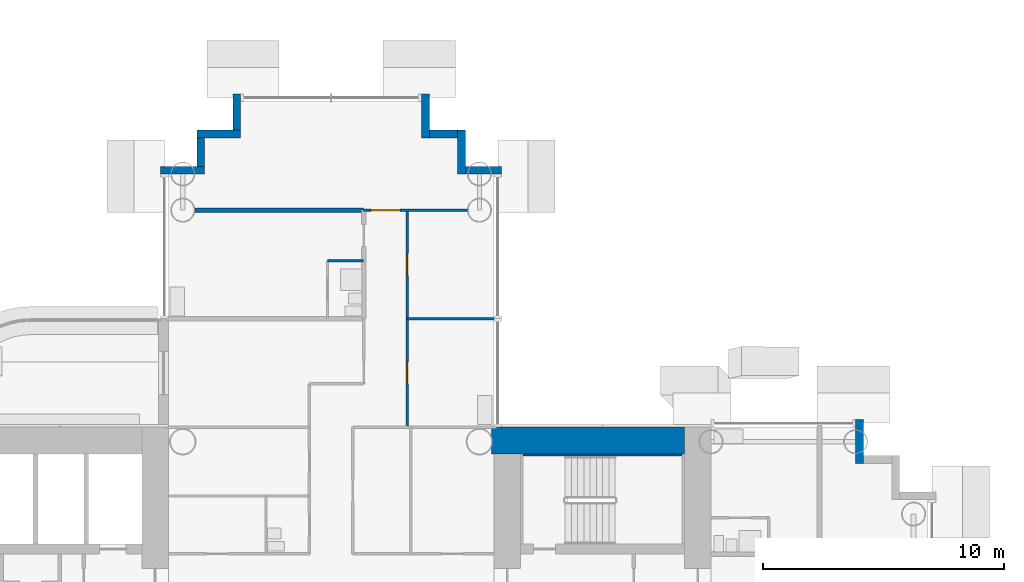
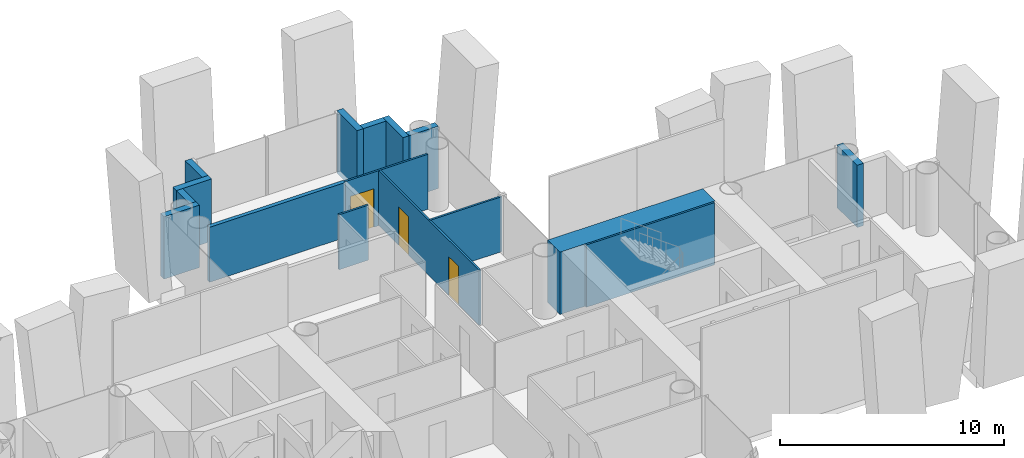
# One storey, part 13 of 25: 16 walls, 3 doors, 3 openings.
"""IFC4 building model written with IfcOpenShell, lengths in metres."""

import ifcopenshell
import ifcopenshell.guid

model = None  # the IFC model being written
_history = None  # IfcOwnerHistory: only IFC2X3 demands one
_inside = {}  # id of a spatial element -> (the spatial element, [elements in it])
_under = {}  # id of a project, library or spatial element -> (it, [spatial elements below it])
_declared = {}  # id of a project -> (the project, [libraries it declares])
_typed = {}  # id of a type object -> (the type object, [elements of that type])
_made_of = {}  # id of a material, layer set ... -> (it, [elements and type objects made of it])


def new_model(schema):
    """Start an empty IFC model of exactly this schema.

    Asked for "IFC4X3", IfcOpenShell would pick the latest addendum, in which some entities
    have other attributes; the version numbers below select the first issue.
    IFC2X3 requires an IfcOwnerHistory on every rooted entity: one is made here for all.
    """
    global model, _history
    if schema == "IFC4X3":
        model = ifcopenshell.file(schema_version=(4, 3, 0, 0))
    else:
        model = ifcopenshell.file(schema=schema)
    _inside.clear()
    _under.clear()
    _declared.clear()
    _typed.clear()
    _made_of.clear()
    _history = None
    if model.schema == "IFC2X3":
        org = make("IfcOrganization", Name="unknown")
        user = make(
            "IfcPersonAndOrganization",
            ThePerson=make("IfcPerson", FamilyName="unknown"),
            TheOrganization=org,
        )
        app = make(
            "IfcApplication",
            ApplicationDeveloper=org,
            Version="unknown",
            ApplicationFullName="unknown",
            ApplicationIdentifier="unknown",
        )
        _history = make(
            "IfcOwnerHistory",
            OwningUser=user,
            OwningApplication=app,
            ChangeAction="ADDED",
            CreationDate=0,
        )
    return model


def make(cls, **values):
    """One entity of the class cls with the attributes given. An attribute that is None is left unset."""
    return model.create_entity(
        cls, **{name: value for name, value in values.items() if value is not None}
    )


def rooted(cls, **values):
    """An entity with a GlobalId (a new one), such as an element, a storey or a relation."""
    return make(cls, GlobalId=ifcopenshell.guid.new(), OwnerHistory=_history, **values)


def si_unit(unit_type, name, prefix=None):
    """IfcSIUnit, for example si_unit("LENGTHUNIT", "METRE", prefix="MILLI")."""
    return make("IfcSIUnit", UnitType=unit_type, Prefix=prefix, Name=name)


def assignment(units):
    """IfcUnitAssignment: the units of a project."""
    return None if units is None else make("IfcUnitAssignment", Units=units)


def point(xyz):
    """IfcCartesianPoint."""
    return None if xyz is None else make("IfcCartesianPoint", Coordinates=xyz)


def direction(xyz):
    """IfcDirection."""
    return None if xyz is None else make("IfcDirection", DirectionRatios=xyz)


def frame(location, z_axis=None, x_axis=None):
    """IfcAxis2Placement3D, a coordinate frame: its origin and axes. An axis left out is left unset."""
    return make(
        "IfcAxis2Placement3D",
        Location=point(location),
        Axis=direction(z_axis),
        RefDirection=direction(x_axis),
    )


def frame_2d(location, x_axis=None):
    """IfcAxis2Placement2D, a coordinate frame in the plane: its origin and x axis."""
    return make(
        "IfcAxis2Placement2D", Location=point(location), RefDirection=direction(x_axis)
    )


def origin():
    """The frame at (0, 0, 0) with its axes left unset."""
    return frame((0.0, 0.0, 0.0))


def place(relative_to, where):
    """IfcLocalPlacement: puts the frame where relative to a parent placement (None: the world)."""
    return make(
        "IfcLocalPlacement", PlacementRelTo=relative_to, RelativePlacement=where
    )


def context(
    kind, dimensions, precision=None, world=None, true_north=None, identifier=None
):
    """IfcGeometricRepresentationContext, for example the 3D "Model" context."""
    return make(
        "IfcGeometricRepresentationContext",
        ContextIdentifier=identifier,
        ContextType=kind,
        CoordinateSpaceDimension=dimensions,
        Precision=precision,
        WorldCoordinateSystem=world,
        TrueNorth=true_north,
    )


def subcontext(parent, identifier, kind, view, scale=None):
    """IfcGeometricRepresentationSubContext, for example "Body" below "Model"."""
    return make(
        "IfcGeometricRepresentationSubContext",
        ContextIdentifier=identifier,
        ContextType=kind,
        ParentContext=parent,
        TargetScale=scale,
        TargetView=view,
    )


def project(units=None, contexts=None):
    """IfcProject with its units and contexts."""
    return rooted(
        "IfcProject",
        Name="project",
        RepresentationContexts=contexts,
        UnitsInContext=assignment(units),
    )


def spatial(cls, under=None, at=None, **own):
    """A site, building, storey or space (cls), placed at a placement, below another one or the project."""
    s = rooted(cls, ObjectPlacement=at, **own)
    if under is not None:
        _under.setdefault(under.id(), (under, []))[1].append(s)
    return s


def profile(cls, at=None, kind="AREA", **sizes):
    """A parametric profile (cls). Its sizes go by their IFC names, for example OverallWidth=200.0."""
    return make(cls, ProfileType=kind, Position=at, **sizes)


def rectangle(**sizes):
    """IfcRectangleProfileDef."""
    return profile("IfcRectangleProfileDef", **sizes)


def extrude(swept, where, along, depth):
    """IfcExtrudedAreaSolid: the profile swept, set in the frame where, extruded along a direction by depth."""
    return make(
        "IfcExtrudedAreaSolid",
        SweptArea=swept,
        Position=where,
        ExtrudedDirection=direction(along),
        Depth=depth,
    )


def shape(context_of_items, identifier, shape_type, items):
    """IfcShapeRepresentation: the items that make up one representation, for example the "Body"."""
    return make(
        "IfcShapeRepresentation",
        ContextOfItems=context_of_items,
        RepresentationIdentifier=identifier,
        RepresentationType=shape_type,
        Items=items,
    )


def material(Name=None, Category=None):
    """IfcMaterial."""
    return make("IfcMaterial", Name=Name, Category=Category)


def layer(
    of_material, thickness, ventilated=None, Name=None, Category=None, Priority=None
):
    """IfcMaterialLayer: one layer of a wall or slab, of a material (None: an air gap)."""
    return make(
        "IfcMaterialLayer",
        Material=of_material,
        LayerThickness=thickness,
        IsVentilated=ventilated,
        Name=Name,
        Category=Category,
        Priority=Priority,
    )


def layer_set(layers, Name=None):
    """IfcMaterialLayerSet."""
    return make("IfcMaterialLayerSet", MaterialLayers=layers, LayerSetName=Name)


def made_of(thing, what):
    """Note that an element or type object is made of a material, layer set ...; save() writes the relation."""
    if what is not None:
        _made_of.setdefault(what.id(), (what, []))[1].append(thing)
    return thing


def type_object(cls, material=None, **own):
    """A type object (cls), such as IfcWallType, which elements share."""
    return made_of(rooted(cls, **own), material)


def element(
    cls,
    number,
    at=None,
    inside=None,
    cuts=None,
    type_object=None,
    material=None,
    context=None,
    identifier="Body",
    shape_type=None,
    held_by="IfcProductDefinitionShape",
    body=None,
    shapes=None,
    **own,
):
    """One element of the class cls, such as IfcWall. Its Tag is "e" and its number.

    at: its placement. inside: the storey or other place that contains it. cuts: it is an
    opening in that element (IfcRelVoidsElement). A single representation is given by context,
    identifier, shape_type and body (its items); several are given by shapes. held_by: the class
    of the entity that holds the representations. save() writes the other relations.
    """
    e = rooted(cls, Tag="e%d" % number, ObjectPlacement=at, **own)
    if body is not None:
        shapes = [shape(context, identifier, shape_type, body)]
    if shapes is not None:
        e.Representation = make(held_by, Representations=shapes)
    if inside is not None:
        _inside.setdefault(inside.id(), (inside, []))[1].append(e)
    if cuts is not None:
        rooted(
            "IfcRelVoidsElement", RelatingBuildingElement=cuts, RelatedOpeningElement=e
        )
    if type_object is not None:
        _typed.setdefault(type_object.id(), (type_object, []))[1].append(e)
    return made_of(e, material)


def fill(opening, filler):
    """IfcRelFillsElement: the door or window that sits in an opening."""
    return rooted(
        "IfcRelFillsElement",
        RelatingOpeningElement=opening,
        RelatedBuildingElement=filler,
    )


def aggregate(whole, parts):
    """IfcRelAggregates: a whole, such as a stair, and the parts it consists of."""
    return rooted("IfcRelAggregates", RelatingObject=whole, RelatedObjects=parts)


def save(model, path):
    """Write the relations noted so far, then the file.

    IfcRelAggregates (storeys below a building ...), IfcRelContainedInSpatialStructure (elements
    in a storey), IfcRelDefinesByType, IfcRelAssociatesMaterial and IfcRelDeclares: one each for
    every whole, place, type object, material and project.
    """
    for whole, parts in _under.values():
        aggregate(whole, parts)
    for where, things in _inside.values():
        rooted(
            "IfcRelContainedInSpatialStructure",
            RelatedElements=things,
            RelatingStructure=where,
        )
    for kind, things in _typed.values():
        rooted("IfcRelDefinesByType", RelatedObjects=things, RelatingType=kind)
    for what, things in _made_of.values():
        rooted("IfcRelAssociatesMaterial", RelatedObjects=things, RelatingMaterial=what)
    for by, libraries in _declared.values():
        rooted("IfcRelDeclares", RelatingContext=by, RelatedDefinitions=libraries)
    model.write(path)


model = new_model("IFC4")

# Units and contexts
model_context = context("Model", 3, precision=1e-05, world=origin(), true_north=direction((0.0, 1.0)))
body_context = subcontext(model_context, "Body", "Model", "MODEL_VIEW")
ifc_project = project(units=[si_unit("LENGTHUNIT", "METRE"), si_unit("AREAUNIT", "SQUARE_METRE"), si_unit("VOLUMEUNIT", "CUBIC_METRE"), si_unit("PLANEANGLEUNIT", "RADIAN"), si_unit("MASSUNIT", "GRAM", prefix="KILO")], contexts=[model_context])

# Site, building, storey
site_placement = place(None, origin())
site = spatial("IfcSite", under=ifc_project, at=site_placement, CompositionType="ELEMENT")
building_placement = place(site_placement, origin())
building = spatial("IfcBuilding", under=site, at=building_placement, Name="Ipe Terrace Towers", CompositionType="ELEMENT")
storey_placement = place(building_placement, frame((0.0, 0.0, 58.5)))
storey = spatial("IfcBuildingStorey", under=building, at=storey_placement, Name="L15", CompositionType="ELEMENT", Elevation=58.5)

# Walls
ifc_material_1 = material(Name="Concrete C40/50 with buff precast cladding", Category="concrete")
ifc_layer_1 = layer(ifc_material_1, 0.320068359375)
ifc_layer_set_1 = layer_set([ifc_layer_1], Name="BUFF CLADDING WALL 320")
wall_type_1 = type_object("IfcWallType", Name="BUFF CLADDING WALL 320", PredefinedType="STANDARD", material=ifc_layer_set_1)
wall_1_placement = place(storey_placement, frame((-14.090087890625, 5.25, -0.300048828125), z_axis=(0.0, 0.0, 1.0), x_axis=(0.0, 1.0, 0.0)))
element("IfcWall", 1, at=wall_1_placement, inside=storey, type_object=wall_type_1, Name="T1-W-L15-29a wall", PredefinedType="STANDARD", context=body_context, shape_type="SweptSolid", body=[
    extrude(rectangle(XDim=1.820068359375, YDim=0.320068359375, at=frame_2d((0.91015625, 0.0))), origin(), (0.0, 0.0, 1.0), 3.400146484375),
])
wall_2_placement = place(storey_placement, frame((-28.929931640625, 17.409912109375, -0.300048828125), z_axis=(0.0, 0.0, 1.0), x_axis=(-1.0, 0.0, 0.0)))
element("IfcWall", 2, at=wall_2_placement, inside=storey, type_object=wall_type_1, Name="T1-W-L15-34a wall", PredefinedType="STANDARD", context=body_context, shape_type="SweptSolid", body=[
    extrude(rectangle(XDim=1.5, YDim=0.320068359375, at=frame_2d((0.75, 0.0))), origin(), (0.0, 0.0, 1.0), 3.400146484375),
])
wall_3_placement = place(storey_placement, frame((-30.590087890625, 17.25, -0.300048828125), z_axis=(0.0, 0.0, 1.0), x_axis=(0.0, 1.0, 0.0)))
element("IfcWall", 3, at=wall_3_placement, inside=storey, type_object=wall_type_1, Name="T1-W-L15-35a wall", PredefinedType="STANDARD", context=body_context, shape_type="SweptSolid", body=[
    extrude(rectangle(XDim=1.820068359375, YDim=0.320068359375, at=frame_2d((0.91015625, 0.0))), origin(), (0.0, 0.0, 1.0), 3.400146484375),
])
wall_4_placement = place(storey_placement, frame((-30.75, 18.909912109375, -0.300048828125), z_axis=(0.0, 0.0, 1.0), x_axis=(-1.0, 0.0, 0.0)))
element("IfcWall", 4, at=wall_4_placement, inside=storey, type_object=wall_type_1, Name="T1-W-L15-36a wall", PredefinedType="STANDARD", context=body_context, shape_type="SweptSolid", body=[
    extrude(rectangle(XDim=1.179931640625, YDim=0.320068359375, at=frame_2d((0.58984375, 0.0))), origin(), (0.0, 0.0, 1.0), 3.400146484375),
])
wall_5_placement = place(storey_placement, frame((-32.090087890625, 18.75, -0.300048828125), z_axis=(0.0, 0.0, 1.0), x_axis=(0.0, 1.0, 0.0)))
element("IfcWall", 5, at=wall_5_placement, inside=storey, type_object=wall_type_1, Name="T1-W-L15-37a wall", PredefinedType="STANDARD", context=body_context, shape_type="SweptSolid", body=[
    extrude(rectangle(XDim=1.820068359375, YDim=0.320068359375, at=frame_2d((0.91015625, 0.0))), origin(), (0.0, 0.0, 1.0), 3.400146484375),
])
wall_6_placement = place(storey_placement, frame((-39.909912109375, 20.570068359375, -0.300048828125), z_axis=(0.0, 0.0, 1.0), x_axis=(0.0, -1.0, 0.0)))
element("IfcWall", 6, at=wall_6_placement, inside=storey, type_object=wall_type_1, Name="T1-W-L15-39a wall", PredefinedType="STANDARD", context=body_context, shape_type="SweptSolid", body=[
    extrude(rectangle(XDim=1.5, YDim=0.320068359375, at=frame_2d((0.75, 0.0))), origin(), (0.0, 0.0, 1.0), 3.400146484375),
])
wall_7_placement = place(storey_placement, frame((-39.75, 18.909912109375, -0.300048828125), z_axis=(0.0, 0.0, 1.0), x_axis=(-1.0, 0.0, 0.0)))
element("IfcWall", 7, at=wall_7_placement, inside=storey, type_object=wall_type_1, Name="T1-W-L15-40a wall", PredefinedType="STANDARD", context=body_context, shape_type="SweptSolid", body=[
    extrude(rectangle(XDim=1.820068359375, YDim=0.320068359375, at=frame_2d((0.91015625, 0.0))), origin(), (0.0, 0.0, 1.0), 3.400146484375),
])
wall_8_placement = place(storey_placement, frame((-41.409912109375, 18.75, -0.300048828125), z_axis=(0.0, 0.0, 1.0), x_axis=(0.0, -1.0, 0.0)))
element("IfcWall", 8, at=wall_8_placement, inside=storey, type_object=wall_type_1, Name="T1-W-L15-41a wall", PredefinedType="STANDARD", context=body_context, shape_type="SweptSolid", body=[
    extrude(rectangle(XDim=1.179931640625, YDim=0.320068359375, at=frame_2d((0.58984375, 0.0))), origin(), (0.0, 0.0, 1.0), 3.400146484375),
])
wall_9_placement = place(storey_placement, frame((-41.25, 17.409912109375, -0.300048828125), z_axis=(0.0, 0.0, 1.0), x_axis=(-1.0, 0.0, 0.0)))
element("IfcWall", 9, at=wall_9_placement, inside=storey, type_object=wall_type_1, Name="T1-W-L15-42a wall", PredefinedType="STANDARD", context=body_context, shape_type="SweptSolid", body=[
    extrude(rectangle(XDim=1.820068359375, YDim=0.320068359375, at=frame_2d((0.91015625, 0.0))), origin(), (0.0, 0.0, 1.0), 3.400146484375),
])

# Wall, openings, doors
ifc_material_2 = material(Name="Gypsum board partition", Category="plasterboard")
ifc_layer_2 = layer(ifc_material_2, 0.10009765625)
ifc_layer_set_2 = layer_set([ifc_layer_2], Name="Gypsum board partition 100 mm")
wall_type_2 = type_object("IfcWallType", Name="Gypsum board partition 100 mm", PredefinedType="PARTITIONING", material=ifc_layer_set_2)
wall_10_placement = place(storey_placement, frame((-32.85009765625, 6.75, 0.0), z_axis=(0.0, 0.0, 1.0), x_axis=(0.0, 1.0, 0.0)))
wall_10 = element("IfcWall", 10, at=wall_10_placement, inside=storey, type_object=wall_type_2, Name="Gypsum board partition T1 L15 W17", PredefinedType="PARTITIONING", context=body_context, shape_type="SweptSolid", body=[
    extrude(rectangle(XDim=9.0, YDim=0.10009765625, at=frame_2d((4.5, 0.0))), origin(), (0.0, 0.0, 1.0), 3.0),
])
opening_1_placement = place(wall_10_placement, frame((1.800048828125, 0.0, 0.0)))
opening_1 = element("IfcOpeningElement", 11, at=opening_1_placement, cuts=wall_10, Name="Opening T1-Z1D-12", PredefinedType="OPENING", context=body_context, shape_type="SweptSolid", body=[
    extrude(rectangle(XDim=0.89990234375, YDim=2.10009765625, at=frame_2d((0.449951171875, 1.050048828125))), frame((0.0, 0.06005859375, 0.0), z_axis=(0.0, -1.0, 0.0), x_axis=(1.0, 0.0, 0.0)), (0.0, 0.0, 1.0), 0.1201171875),
])
opening_2_placement = place(wall_10_placement, frame((6.300048828125, 0.0, 0.0)))
opening_2 = element("IfcOpeningElement", 12, at=opening_2_placement, cuts=wall_10, Name="Opening T1-Z1D-13", PredefinedType="OPENING", context=body_context, shape_type="SweptSolid", body=[
    extrude(rectangle(XDim=0.89990234375, YDim=2.10009765625, at=frame_2d((0.449951171875, 1.050048828125))), frame((0.0, 0.06005859375, 0.0), z_axis=(0.0, -1.0, 0.0), x_axis=(1.0, 0.0, 0.0)), (0.0, 0.0, 1.0), 0.1201171875),
])
ifc_material_3 = material(Name="Timber door leaf", Category="wood")
door_type_1 = type_object("IfcDoorType", Name="Lounge door 900 x 2100", OperationType="NOTDEFINED", PredefinedType="DOOR", material=ifc_material_3)
door_1_placement = place(opening_1_placement, origin())
door_1 = element("IfcDoor", 13, at=door_1_placement, inside=storey, type_object=door_type_1, Name="Lounge door T1-Z1D-12", OperationType="SINGLE_SWING_LEFT", OverallHeight=2.10009765625, OverallWidth=0.89990234375, PredefinedType="DOOR", context=body_context, shape_type="SweptSolid", body=[
    extrude(rectangle(XDim=0.89990234375, YDim=2.10009765625, at=frame_2d((0.449951171875, 1.050048828125))), frame((0.0, 0.02490234375, 0.0), z_axis=(0.0, -1.0, 0.0), x_axis=(1.0, 0.0, 0.0)), (0.0, 0.0, 1.0), 0.050048828125),
])
fill(opening_1, door_1)
door_2_placement = place(opening_2_placement, origin())
door_2 = element("IfcDoor", 14, at=door_2_placement, inside=storey, type_object=door_type_1, Name="Lounge door T1-Z1D-13", OperationType="SINGLE_SWING_RIGHT", OverallHeight=2.10009765625, OverallWidth=0.89990234375, PredefinedType="DOOR", context=body_context, shape_type="SweptSolid", body=[
    extrude(rectangle(XDim=0.89990234375, YDim=2.10009765625, at=frame_2d((0.449951171875, 1.050048828125))), frame((0.0, 0.02490234375, 0.0), z_axis=(0.0, -1.0, 0.0), x_axis=(1.0, 0.0, 0.0)), (0.0, 0.0, 1.0), 0.050048828125),
])
fill(opening_2, door_2)

# Walls
wall_11_placement = place(storey_placement, frame((-32.85009765625, 11.25, 0.0), z_axis=(0.0, 0.0, 1.0), x_axis=(1.0, 0.0, 0.0)))
element("IfcWall", 15, at=wall_11_placement, inside=storey, type_object=wall_type_2, Name="Gypsum board partition T1 L15 W49", PredefinedType="PARTITIONING", context=body_context, shape_type="SweptSolid", body=[
    extrude(rectangle(XDim=3.7001953125, YDim=0.10009765625, at=frame_2d((1.85009765625, 0.0))), origin(), (0.0, 0.0, 1.0), 3.0),
])
wall_12_placement = place(storey_placement, frame((-36.14990234375, 13.64990234375, 0.0), z_axis=(0.0, 0.0, 1.0), x_axis=(1.0, 0.0, 0.0)))
element("IfcWall", 16, at=wall_12_placement, inside=storey, type_object=wall_type_2, Name="Gypsum board partition T1 L15 W51", PredefinedType="PARTITIONING", context=body_context, shape_type="SweptSolid", body=[
    extrude(rectangle(XDim=1.5, YDim=0.10009765625, at=frame_2d((0.75, 0.0))), origin(), (0.0, 0.0, 1.0), 3.0),
])

# Wall, opening, door
wall_13_placement = place(storey_placement, frame((-34.64990234375, 15.75, 0.0), z_axis=(0.0, 0.0, 1.0), x_axis=(1.0, 0.0, 0.0)))
wall_13 = element("IfcWall", 17, at=wall_13_placement, inside=storey, type_object=wall_type_2, Name="Gypsum board partition T1 L15 W52", PredefinedType="PARTITIONING", context=body_context, shape_type="SweptSolid", body=[
    extrude(rectangle(XDim=4.2998046875, YDim=0.10009765625, at=frame_2d((2.14990234375, 0.0))), origin(), (0.0, 0.0, 1.0), 3.0),
])
opening_3_placement = place(wall_13_placement, frame((0.300048828125, 0.0, 0.0)))
opening_3 = element("IfcOpeningElement", 18, at=opening_3_placement, cuts=wall_13, Name="Opening T1-Z1D-14", PredefinedType="OPENING", context=body_context, shape_type="SweptSolid", body=[
    extrude(rectangle(XDim=1.199951171875, YDim=2.10009765625, at=frame_2d((0.60009765625, 1.050048828125))), frame((0.0, 0.06005859375, 0.0), z_axis=(0.0, -1.0, 0.0), x_axis=(1.0, 0.0, 0.0)), (0.0, 0.0, 1.0), 0.1201171875),
])
ifc_material_4 = material(Name="Timber door leaf", Category="wood")
door_type_2 = type_object("IfcDoorType", Name="Lounge door 1200 x 2100", OperationType="NOTDEFINED", PredefinedType="DOOR", material=ifc_material_4)
door_3_placement = place(opening_3_placement, origin())
door_3 = element("IfcDoor", 19, at=door_3_placement, inside=storey, type_object=door_type_2, Name="Lounge door T1-Z1D-14", OperationType="SINGLE_SWING_RIGHT", OverallHeight=2.10009765625, OverallWidth=1.199951171875, PredefinedType="DOOR", context=body_context, shape_type="SweptSolid", body=[
    extrude(rectangle(XDim=1.199951171875, YDim=2.10009765625, at=frame_2d((0.60009765625, 1.050048828125))), frame((0.0, 0.02490234375, 0.0), z_axis=(0.0, -1.0, 0.0), x_axis=(1.0, 0.0, 0.0)), (0.0, 0.0, 1.0), 0.050048828125),
])
fill(opening_3, door_3)

# Walls
ifc_material_5 = material(Name="Gypsum board party wall", Category="plasterboard")
ifc_layer_3 = layer(ifc_material_5, 0.199951171875)
ifc_layer_set_3 = layer_set([ifc_layer_3], Name="Gypsum board party wall 200 mm")
wall_type_3 = type_object("IfcWallType", Name="Gypsum board party wall 200 mm", PredefinedType="SOLIDWALL", material=ifc_layer_set_3)
wall_14_placement = place(storey_placement, frame((-41.64990234375, 15.75, 0.0), z_axis=(0.0, 0.0, 1.0), x_axis=(1.0, 0.0, 0.0)))
element("IfcWall", 20, at=wall_14_placement, inside=storey, type_object=wall_type_3, Name="Gypsum board party wall T1 L15 W53", PredefinedType="SOLIDWALL", context=body_context, shape_type="SweptSolid", body=[
    extrude(rectangle(XDim=7.0, YDim=0.199951171875, at=frame_2d((3.5, 0.0))), origin(), (0.0, 0.0, 1.0), 3.0),
])
ifc_material_6 = material(Name="Concrete C60/75", Category="concrete")
ifc_layer_4 = layer(ifc_material_6, 0.10009765625)
ifc_layer_set_4 = layer_set([ifc_layer_4], Name="RW100 CORE INFILL WALL 100 C60-75")
wall_type_4 = type_object("IfcWallType", Name="RW100 CORE INFILL WALL 100 C60-75", PredefinedType="SHEAR", material=ifc_layer_set_4)
wall_15_placement = place(storey_placement, frame((-28.050048828125, 5.60009765625, 0.0), z_axis=(0.0, 0.0, 1.0), x_axis=(1.0, 0.0, 0.0)))
element("IfcWall", 21, at=wall_15_placement, inside=storey, type_object=wall_type_4, Name="Core infill wall T1-C1-back", PredefinedType="SHEAR", context=body_context, shape_type="SweptSolid", body=[
    extrude(rectangle(XDim=6.60009765625, YDim=0.10009765625, at=frame_2d((3.300048828125, 0.0))), origin(), (0.0, 0.0, 1.0), 3.39990234375),
])
ifc_material_7 = material(Name="Concrete C60/75", Category="concrete")
ifc_layer_5 = layer(ifc_material_7, 1.10009765625)
ifc_layer_set_5 = layer_set([ifc_layer_5], Name="RW1100 CORE WALL 1100 C60-75")
wall_type_5 = type_object("IfcWallType", Name="RW1100 CORE WALL 1100 C60-75", PredefinedType="SHEAR", material=ifc_layer_set_5)
wall_16_placement = place(storey_placement, frame((-21.35009765625, 6.199951171875, 0.0), z_axis=(0.0, 0.0, 1.0), x_axis=(-1.0, 0.0, 0.0)))
element("IfcWall", 22, at=wall_16_placement, inside=storey, type_object=wall_type_5, Name="Core wall T1-C1-Z1-W03", PredefinedType="SHEAR", context=body_context, shape_type="SweptSolid", body=[
    extrude(rectangle(XDim=7.997802734375, YDim=1.10009765625, at=frame_2d((3.9990234375, 0.0))), origin(), (0.0, 0.0, 1.0), 3.39990234375),
])

save(model, "model.ifc")
